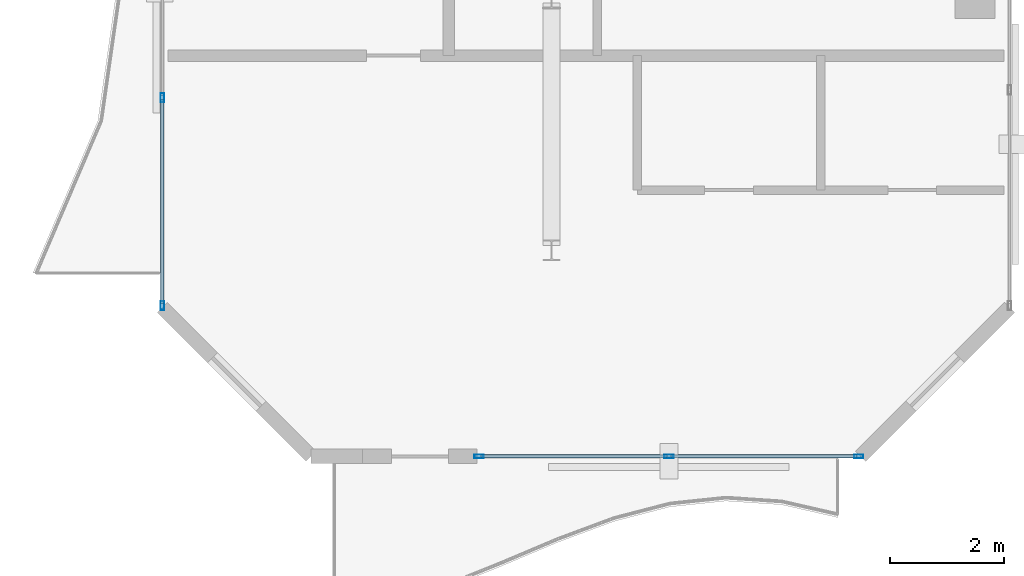
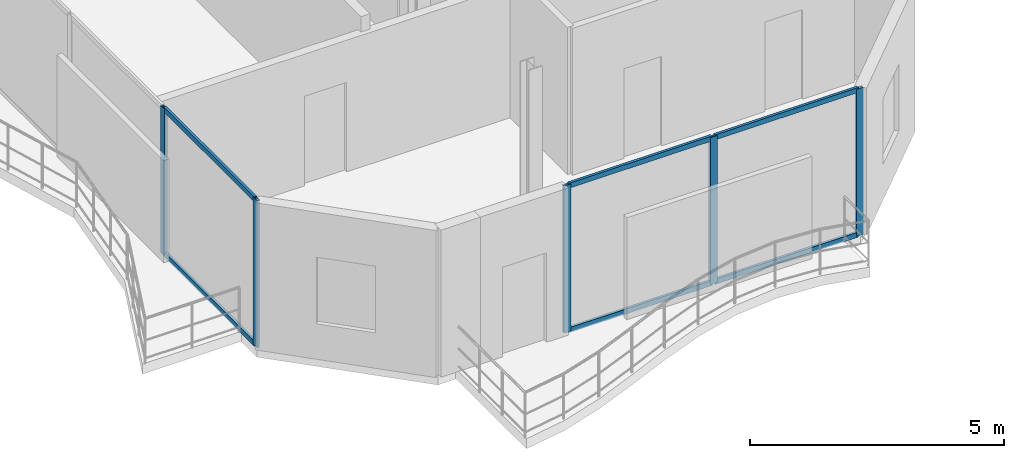
# One storey, part 2 of 16: 11 members, 2 elements without a shape of their own.
"""IFC4 building model written with IfcOpenShell, lengths in metres."""

from ifc_helpers import new_model, si_unit, direction, frame, origin, origin_2d, place, context, subcontext, project, spatial, hollow_rectangle, extrude, material, layer, layer_set, material_profile, profile_set, type_object, element, aggregate, save


model = new_model("IFC4")

# Units and contexts
model_context = context("Model", 3, precision=1e-05, world=origin(), true_north=direction((0.0, 1.0)))
body_context = subcontext(model_context, "Body", "Model", "MODEL_VIEW")
ifc_project = project(units=[si_unit("LENGTHUNIT", "METRE"), si_unit("AREAUNIT", "SQUARE_METRE"), si_unit("VOLUMEUNIT", "CUBIC_METRE"), si_unit("PLANEANGLEUNIT", "RADIAN"), si_unit("MASSUNIT", "GRAM", prefix="KILO")], contexts=[model_context])

# Site, building, storey
site_placement = place(None, origin())
site = spatial("IfcSite", under=ifc_project, at=site_placement, CompositionType="ELEMENT")
building_placement = place(site_placement, origin())
building = spatial("IfcBuilding", under=site, at=building_placement, Name="Catumbela Crestline Tower", CompositionType="ELEMENT")
storey_placement = place(building_placement, frame((0.0, 0.0, 275.4)))
storey = spatial("IfcBuildingStorey", under=building, at=storey_placement, Name="L71", CompositionType="ELEMENT", Elevation=275.4)

# Curtain wall, members
ifc_material = material(Name="Aluminium alloy AW-6060-T66", Category="aluminium")
ifc_layer = layer(ifc_material, 0.18, Name="Aluminium alloy AW-6060-T66")
ifc_layer_set = layer_set([ifc_layer], Name="Aluminium alloy AW-6060-T66")
curtain_wall_type = type_object("IfcCurtainWallType", Name="CWU-Z4", PredefinedType="USERDEFINED", material=ifc_layer_set)
curtain_wall_1_placement = place(storey_placement, origin())
curtain_wall_1 = element("IfcCurtainWall", 1, at=curtain_wall_1_placement, inside=storey, type_object=curtain_wall_type, Name="L71 Unitised Curtain Wall CW-L71-E0S2", ObjectType="UNITISED", PredefinedType="USERDEFINED")
ifc_material_profile_1 = material_profile(ifc_material, hollow_rectangle(XDim=0.06, YDim=0.16, WallThickness=0.004, at=origin_2d()), Name="ALU 160x60x4")
ifc_profile_set_1 = profile_set([ifc_material_profile_1], Name="Aluminium alloy AW-6060-T66")
member_type_1 = type_object("IfcMemberType", Name="MUL-160X60", PredefinedType="MULLION", material=ifc_profile_set_1)
member_1_placement = place(storey_placement, frame((14.7325, 10.0, 0.0), z_axis=(0.0, 0.0, 1.0), x_axis=(0.0, 1.0, 0.0)))
member_1 = element("IfcMember", 2, at=member_1_placement, type_object=member_type_1, Name="CWU-Z4 mullion 1", PredefinedType="MULLION", context=body_context, shape_type="SweptSolid", body=[
    extrude(hollow_rectangle(XDim=0.06, YDim=0.16, WallThickness=0.004, at=origin_2d()), origin(), (0.0, 0.0, 1.0), 3.53),
])
member_2_placement = place(storey_placement, frame((18.05, 10.0, 0.0), z_axis=(0.0, 0.0, 1.0), x_axis=(0.0, 1.0, 0.0)))
member_2 = element("IfcMember", 3, at=member_2_placement, type_object=member_type_1, Name="CWU-Z4 mullion 2", PredefinedType="MULLION", context=body_context, shape_type="SweptSolid", body=[
    extrude(hollow_rectangle(XDim=0.06, YDim=0.16, WallThickness=0.004, at=origin_2d()), origin(), (0.0, 0.0, 1.0), 3.53),
])
member_3_placement = place(storey_placement, frame((21.3675, 10.0, 0.0), z_axis=(0.0, 0.0, 1.0), x_axis=(0.0, 1.0, 0.0)))
member_3 = element("IfcMember", 4, at=member_3_placement, type_object=member_type_1, Name="CWU-Z4 mullion 3", PredefinedType="MULLION", context=body_context, shape_type="SweptSolid", body=[
    extrude(hollow_rectangle(XDim=0.06, YDim=0.16, WallThickness=0.004, at=origin_2d()), origin(), (0.0, 0.0, 1.0), 3.53),
])

curtain_wall_2_placement = place(storey_placement, origin())
curtain_wall_2 = element("IfcCurtainWall", 5, at=curtain_wall_2_placement, inside=storey, type_object=curtain_wall_type, Name="L71 Unitised Curtain Wall CW-L71-E9S2", ObjectType="UNITISED", PredefinedType="USERDEFINED")
member_4_placement = place(storey_placement, frame((9.2, 16.2667, 0.0), z_axis=(0.0, 0.0, 1.0), x_axis=(1.0, 0.0, 0.0)))
member_4 = element("IfcMember", 6, at=member_4_placement, type_object=member_type_1, Name="CWU-Z4 mullion 6", PredefinedType="MULLION", context=body_context, shape_type="SweptSolid", body=[
    extrude(hollow_rectangle(XDim=0.06, YDim=0.16, WallThickness=0.004, at=origin_2d()), origin(), (0.0, 0.0, 1.0), 3.53),
])
member_5_placement = place(storey_placement, frame((9.2, 12.6325, 0.0), z_axis=(0.0, 0.0, 1.0), x_axis=(1.0, 0.0, 0.0)))
member_5 = element("IfcMember", 7, at=member_5_placement, type_object=member_type_1, Name="CWU-Z4 mullion 7", PredefinedType="MULLION", context=body_context, shape_type="SweptSolid", body=[
    extrude(hollow_rectangle(XDim=0.06, YDim=0.16, WallThickness=0.004, at=origin_2d()), origin(), (0.0, 0.0, 1.0), 3.53),
])

# Member
ifc_material_profile_2 = material_profile(ifc_material, hollow_rectangle(XDim=0.06, YDim=0.12, WallThickness=0.0035, at=origin_2d()), Name="ALU 120x60x3.5")
ifc_profile_set_2 = profile_set([ifc_material_profile_2], Name="Aluminium alloy AW-6060-T66")
member_type_2 = type_object("IfcMemberType", Name="TRN-120X60", PredefinedType="USERDEFINED", material=ifc_profile_set_2)
member_6_placement = place(storey_placement, frame((14.765, 10.0, 0.03), z_axis=(1.0, 0.0, 0.0), x_axis=(0.0, 1.0, 0.0)))
member_6 = element("IfcMember", 8, at=member_6_placement, type_object=member_type_2, Name="CWU-Z4 transom 1.1", ObjectType="TRANSOM", PredefinedType="USERDEFINED", context=body_context, shape_type="SweptSolid", body=[
    extrude(hollow_rectangle(XDim=0.06, YDim=0.12, WallThickness=0.0035, at=origin_2d()), origin(), (0.0, 0.0, 1.0), 3.2525),
])

member_7_placement = place(storey_placement, frame((14.765, 10.0, 3.5), z_axis=(1.0, 0.0, 0.0), x_axis=(0.0, 1.0, 0.0)))
member_7 = element("IfcMember", 9, at=member_7_placement, type_object=member_type_2, Name="CWU-Z4 transom 1.2", ObjectType="TRANSOM", PredefinedType="USERDEFINED", context=body_context, shape_type="SweptSolid", body=[
    extrude(hollow_rectangle(XDim=0.06, YDim=0.12, WallThickness=0.0035, at=origin_2d()), origin(), (0.0, 0.0, 1.0), 3.2525),
])

member_8_placement = place(storey_placement, frame((18.0825, 10.0, 0.03), z_axis=(1.0, 0.0, 0.0), x_axis=(0.0, 1.0, 0.0)))
member_8 = element("IfcMember", 10, at=member_8_placement, type_object=member_type_2, Name="CWU-Z4 transom 2.1", ObjectType="TRANSOM", PredefinedType="USERDEFINED", context=body_context, shape_type="SweptSolid", body=[
    extrude(hollow_rectangle(XDim=0.06, YDim=0.12, WallThickness=0.0035, at=origin_2d()), origin(), (0.0, 0.0, 1.0), 3.2525),
])

member_9_placement = place(storey_placement, frame((18.0825, 10.0, 3.5), z_axis=(1.0, 0.0, 0.0), x_axis=(0.0, 1.0, 0.0)))
member_9 = element("IfcMember", 11, at=member_9_placement, type_object=member_type_2, Name="CWU-Z4 transom 2.2", ObjectType="TRANSOM", PredefinedType="USERDEFINED", context=body_context, shape_type="SweptSolid", body=[
    extrude(hollow_rectangle(XDim=0.06, YDim=0.12, WallThickness=0.0035, at=origin_2d()), origin(), (0.0, 0.0, 1.0), 3.2525),
])

aggregate(curtain_wall_1, [member_1, member_2, member_3, member_6, member_7, member_8, member_9])

member_10_placement = place(storey_placement, frame((9.2, 16.2342, 0.03), z_axis=(0.0, -1.0, 0.0), x_axis=(1.0, 0.0, 0.0)))
member_10 = element("IfcMember", 12, at=member_10_placement, type_object=member_type_2, Name="CWU-Z4 transom 6.1", ObjectType="TRANSOM", PredefinedType="USERDEFINED", context=body_context, shape_type="SweptSolid", body=[
    extrude(hollow_rectangle(XDim=0.06, YDim=0.12, WallThickness=0.0035, at=origin_2d()), origin(), (0.0, 0.0, 1.0), 3.5692),
])

member_11_placement = place(storey_placement, frame((9.2, 16.2342, 3.5), z_axis=(0.0, -1.0, 0.0), x_axis=(1.0, 0.0, 0.0)))
member_11 = element("IfcMember", 13, at=member_11_placement, type_object=member_type_2, Name="CWU-Z4 transom 6.2", ObjectType="TRANSOM", PredefinedType="USERDEFINED", context=body_context, shape_type="SweptSolid", body=[
    extrude(hollow_rectangle(XDim=0.06, YDim=0.12, WallThickness=0.0035, at=origin_2d()), origin(), (0.0, 0.0, 1.0), 3.5692),
])

aggregate(curtain_wall_2, [member_4, member_5, member_10, member_11])

save(model, "model.ifc")
